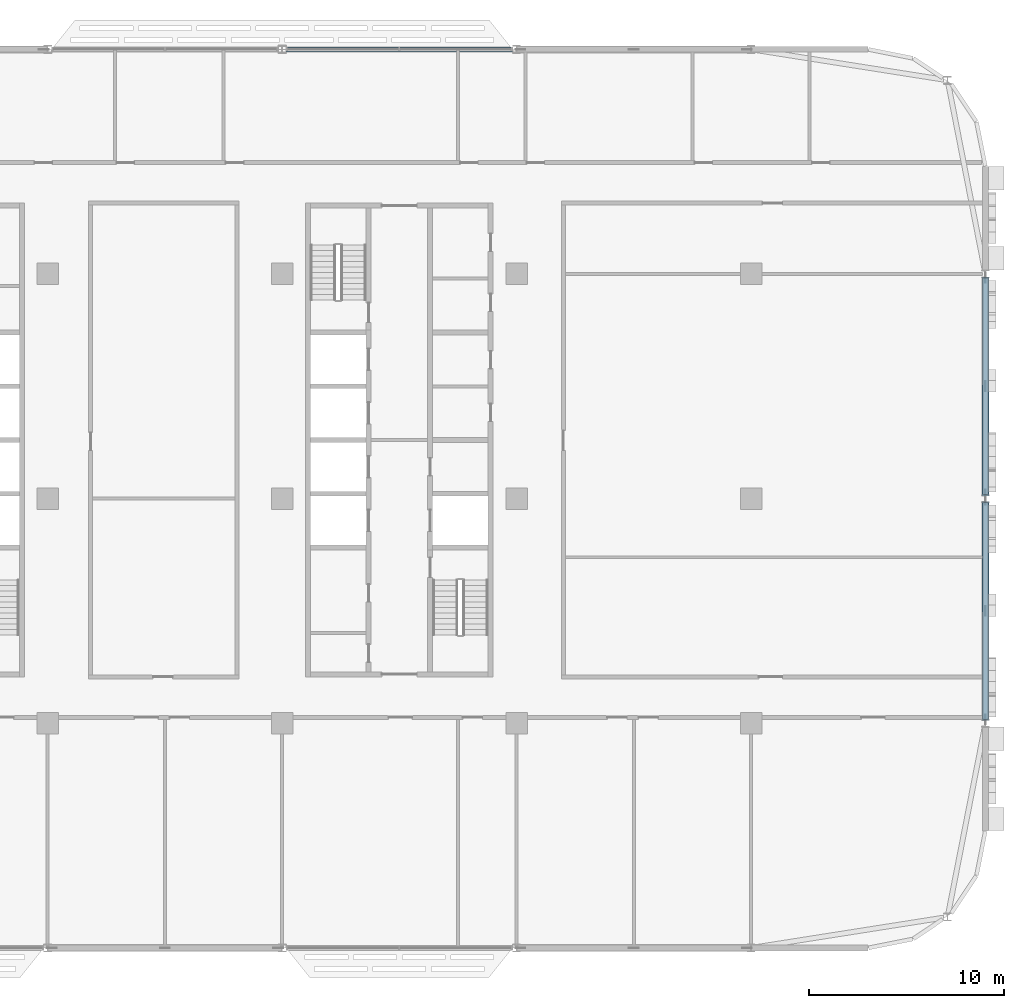
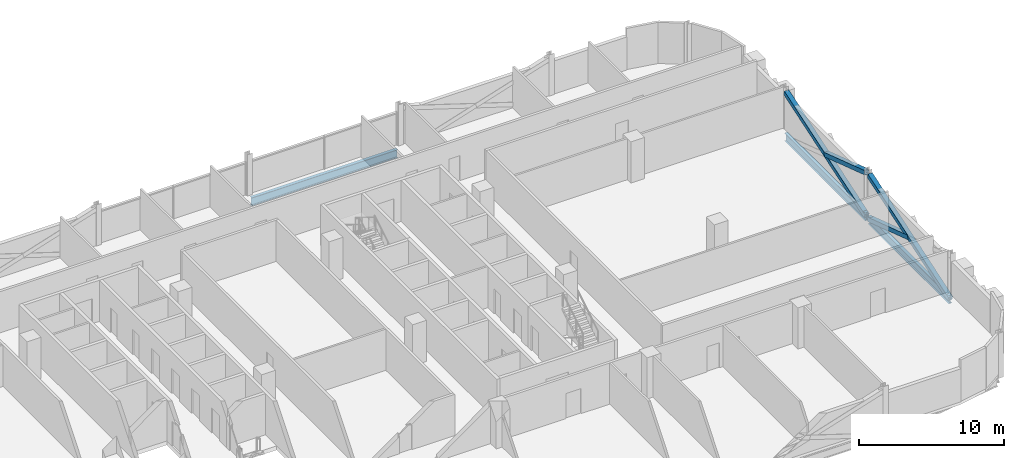
# One storey, part 10 of 30: 4 members, 3 beams.
"""IFC4 building model written with IfcOpenShell, lengths in metres."""

import ifcopenshell
import ifcopenshell.guid

model = None  # the IFC model being written
_history = None  # IfcOwnerHistory: only IFC2X3 demands one
_inside = {}  # id of a spatial element -> (the spatial element, [elements in it])
_under = {}  # id of a project, library or spatial element -> (it, [spatial elements below it])
_declared = {}  # id of a project -> (the project, [libraries it declares])
_typed = {}  # id of a type object -> (the type object, [elements of that type])
_made_of = {}  # id of a material, layer set ... -> (it, [elements and type objects made of it])


def new_model(schema):
    """Start an empty IFC model of exactly this schema.

    Asked for "IFC4X3", IfcOpenShell would pick the latest addendum, in which some entities
    have other attributes; the version numbers below select the first issue.
    IFC2X3 requires an IfcOwnerHistory on every rooted entity: one is made here for all.
    """
    global model, _history
    if schema == "IFC4X3":
        model = ifcopenshell.file(schema_version=(4, 3, 0, 0))
    else:
        model = ifcopenshell.file(schema=schema)
    _inside.clear()
    _under.clear()
    _declared.clear()
    _typed.clear()
    _made_of.clear()
    _history = None
    if model.schema == "IFC2X3":
        org = make("IfcOrganization", Name="unknown")
        user = make(
            "IfcPersonAndOrganization",
            ThePerson=make("IfcPerson", FamilyName="unknown"),
            TheOrganization=org,
        )
        app = make(
            "IfcApplication",
            ApplicationDeveloper=org,
            Version="unknown",
            ApplicationFullName="unknown",
            ApplicationIdentifier="unknown",
        )
        _history = make(
            "IfcOwnerHistory",
            OwningUser=user,
            OwningApplication=app,
            ChangeAction="ADDED",
            CreationDate=0,
        )
    return model


def make(cls, **values):
    """One entity of the class cls with the attributes given. An attribute that is None is left unset."""
    return model.create_entity(
        cls, **{name: value for name, value in values.items() if value is not None}
    )


def rooted(cls, **values):
    """An entity with a GlobalId (a new one), such as an element, a storey or a relation."""
    return make(cls, GlobalId=ifcopenshell.guid.new(), OwnerHistory=_history, **values)


def si_unit(unit_type, name, prefix=None):
    """IfcSIUnit, for example si_unit("LENGTHUNIT", "METRE", prefix="MILLI")."""
    return make("IfcSIUnit", UnitType=unit_type, Prefix=prefix, Name=name)


def assignment(units):
    """IfcUnitAssignment: the units of a project."""
    return None if units is None else make("IfcUnitAssignment", Units=units)


def point(xyz):
    """IfcCartesianPoint."""
    return None if xyz is None else make("IfcCartesianPoint", Coordinates=xyz)


def direction(xyz):
    """IfcDirection."""
    return None if xyz is None else make("IfcDirection", DirectionRatios=xyz)


def frame(location, z_axis=None, x_axis=None):
    """IfcAxis2Placement3D, a coordinate frame: its origin and axes. An axis left out is left unset."""
    return make(
        "IfcAxis2Placement3D",
        Location=point(location),
        Axis=direction(z_axis),
        RefDirection=direction(x_axis),
    )


def frame_2d(location, x_axis=None):
    """IfcAxis2Placement2D, a coordinate frame in the plane: its origin and x axis."""
    return make(
        "IfcAxis2Placement2D", Location=point(location), RefDirection=direction(x_axis)
    )


def origin():
    """The frame at (0, 0, 0) with its axes left unset."""
    return frame((0.0, 0.0, 0.0))


def origin_2d():
    """The frame at (0, 0) in the plane with its x axis left unset."""
    return frame_2d((0.0, 0.0))


def place(relative_to, where):
    """IfcLocalPlacement: puts the frame where relative to a parent placement (None: the world)."""
    return make(
        "IfcLocalPlacement", PlacementRelTo=relative_to, RelativePlacement=where
    )


def context(
    kind, dimensions, precision=None, world=None, true_north=None, identifier=None
):
    """IfcGeometricRepresentationContext, for example the 3D "Model" context."""
    return make(
        "IfcGeometricRepresentationContext",
        ContextIdentifier=identifier,
        ContextType=kind,
        CoordinateSpaceDimension=dimensions,
        Precision=precision,
        WorldCoordinateSystem=world,
        TrueNorth=true_north,
    )


def subcontext(parent, identifier, kind, view, scale=None):
    """IfcGeometricRepresentationSubContext, for example "Body" below "Model"."""
    return make(
        "IfcGeometricRepresentationSubContext",
        ContextIdentifier=identifier,
        ContextType=kind,
        ParentContext=parent,
        TargetScale=scale,
        TargetView=view,
    )


def project(units=None, contexts=None):
    """IfcProject with its units and contexts."""
    return rooted(
        "IfcProject",
        Name="project",
        RepresentationContexts=contexts,
        UnitsInContext=assignment(units),
    )


def spatial(cls, under=None, at=None, **own):
    """A site, building, storey or space (cls), placed at a placement, below another one or the project."""
    s = rooted(cls, ObjectPlacement=at, **own)
    if under is not None:
        _under.setdefault(under.id(), (under, []))[1].append(s)
    return s


def profile(cls, at=None, kind="AREA", **sizes):
    """A parametric profile (cls). Its sizes go by their IFC names, for example OverallWidth=200.0."""
    return make(cls, ProfileType=kind, Position=at, **sizes)


def hollow_rectangle(**sizes):
    """IfcRectangleHollowProfileDef."""
    return profile("IfcRectangleHollowProfileDef", **sizes)


def i_section(**sizes):
    """IfcIShapeProfileDef."""
    return profile("IfcIShapeProfileDef", **sizes)


def extrude(swept, where, along, depth):
    """IfcExtrudedAreaSolid: the profile swept, set in the frame where, extruded along a direction by depth."""
    return make(
        "IfcExtrudedAreaSolid",
        SweptArea=swept,
        Position=where,
        ExtrudedDirection=direction(along),
        Depth=depth,
    )


def shape(context_of_items, identifier, shape_type, items):
    """IfcShapeRepresentation: the items that make up one representation, for example the "Body"."""
    return make(
        "IfcShapeRepresentation",
        ContextOfItems=context_of_items,
        RepresentationIdentifier=identifier,
        RepresentationType=shape_type,
        Items=items,
    )


def material(Name=None, Category=None):
    """IfcMaterial."""
    return make("IfcMaterial", Name=Name, Category=Category)


def material_profile(
    of_material, cross_section, Name=None, Category=None, Priority=None
):
    """IfcMaterialProfile: a cross section and its material."""
    return make(
        "IfcMaterialProfile",
        Name=Name,
        Material=of_material,
        Profile=cross_section,
        Priority=Priority,
        Category=Category,
    )


def profile_set(profiles, Name=None, composite=None):
    """IfcMaterialProfileSet."""
    return make(
        "IfcMaterialProfileSet",
        Name=Name,
        MaterialProfiles=profiles,
        CompositeProfile=composite,
    )


def made_of(thing, what):
    """Note that an element or type object is made of a material, layer set ...; save() writes the relation."""
    if what is not None:
        _made_of.setdefault(what.id(), (what, []))[1].append(thing)
    return thing


def type_object(cls, material=None, **own):
    """A type object (cls), such as IfcWallType, which elements share."""
    return made_of(rooted(cls, **own), material)


def element(
    cls,
    number,
    at=None,
    inside=None,
    cuts=None,
    type_object=None,
    material=None,
    context=None,
    identifier="Body",
    shape_type=None,
    held_by="IfcProductDefinitionShape",
    body=None,
    shapes=None,
    **own,
):
    """One element of the class cls, such as IfcWall. Its Tag is "e" and its number.

    at: its placement. inside: the storey or other place that contains it. cuts: it is an
    opening in that element (IfcRelVoidsElement). A single representation is given by context,
    identifier, shape_type and body (its items); several are given by shapes. held_by: the class
    of the entity that holds the representations. save() writes the other relations.
    """
    e = rooted(cls, Tag="e%d" % number, ObjectPlacement=at, **own)
    if body is not None:
        shapes = [shape(context, identifier, shape_type, body)]
    if shapes is not None:
        e.Representation = make(held_by, Representations=shapes)
    if inside is not None:
        _inside.setdefault(inside.id(), (inside, []))[1].append(e)
    if cuts is not None:
        rooted(
            "IfcRelVoidsElement", RelatingBuildingElement=cuts, RelatedOpeningElement=e
        )
    if type_object is not None:
        _typed.setdefault(type_object.id(), (type_object, []))[1].append(e)
    return made_of(e, material)


def aggregate(whole, parts):
    """IfcRelAggregates: a whole, such as a stair, and the parts it consists of."""
    return rooted("IfcRelAggregates", RelatingObject=whole, RelatedObjects=parts)


def save(model, path):
    """Write the relations noted so far, then the file.

    IfcRelAggregates (storeys below a building ...), IfcRelContainedInSpatialStructure (elements
    in a storey), IfcRelDefinesByType, IfcRelAssociatesMaterial and IfcRelDeclares: one each for
    every whole, place, type object, material and project.
    """
    for whole, parts in _under.values():
        aggregate(whole, parts)
    for where, things in _inside.values():
        rooted(
            "IfcRelContainedInSpatialStructure",
            RelatedElements=things,
            RelatingStructure=where,
        )
    for kind, things in _typed.values():
        rooted("IfcRelDefinesByType", RelatedObjects=things, RelatingType=kind)
    for what, things in _made_of.values():
        rooted("IfcRelAssociatesMaterial", RelatedObjects=things, RelatingMaterial=what)
    for by, libraries in _declared.values():
        rooted("IfcRelDeclares", RelatingContext=by, RelatedDefinitions=libraries)
    model.write(path)


model = new_model("IFC4")

# Units and contexts
model_context = context("Model", 3, precision=1e-05, world=origin(), true_north=direction((0.0, 1.0)))
body_context = subcontext(model_context, "Body", "Model", "MODEL_VIEW")
ifc_project = project(units=[si_unit("LENGTHUNIT", "METRE"), si_unit("AREAUNIT", "SQUARE_METRE"), si_unit("VOLUMEUNIT", "CUBIC_METRE"), si_unit("PLANEANGLEUNIT", "RADIAN"), si_unit("MASSUNIT", "GRAM", prefix="KILO")], contexts=[model_context])

# Site, building, storey
site_placement = place(None, origin())
site = spatial("IfcSite", under=ifc_project, at=site_placement, CompositionType="ELEMENT")
building_placement = place(site_placement, origin())
building = spatial("IfcBuilding", under=site, at=building_placement, Name="Mahtab Terrace Research Tower", CompositionType="ELEMENT")
storey_placement = place(building_placement, frame((0.0, 0.0, 205.300048828125)))
storey = spatial("IfcBuildingStorey", under=building, at=storey_placement, Name="L49", CompositionType="ELEMENT", Elevation=205.300048828125)

# Members
ifc_material_1 = material(Name="Steel ASTM A500 Gr C", Category="steel")
ifc_material_profile_1 = material_profile(ifc_material_1, hollow_rectangle(XDim=0.355712890625, YDim=0.355712890625, WallThickness=0.015869140625, at=origin_2d()), Name="HSS14X14X5/8")
ifc_profile_set_1 = profile_set([ifc_material_profile_1], Name="Steel ASTM A500 Gr C")
member_type = type_object("IfcMemberType", Name="HSS 14x14x5/8 brace XB141458", PredefinedType="BRACE", material=ifc_profile_set_1)
member_1_placement = place(storey_placement, frame((54.0, -11.300537109375, -0.61328125), z_axis=(0.0, 0.949504910136, 0.313752172307), x_axis=(-1.0, 0.0, 0.0)))
element("IfcMember", 1, at=member_1_placement, inside=storey, type_object=member_type, Name="Exoskeleton brace L49 22 a", PredefinedType="BRACE", context=body_context, shape_type="SweptSolid", body=[
    extrude(hollow_rectangle(XDim=0.355712890625, YDim=0.355712890625, WallThickness=0.015869140625, at=origin_2d()), origin(), (0.0, 0.0, 1.0), 11.69140625),
])
member_2_placement = place(storey_placement, frame((54.0, -0.199462890625, -0.61328125), z_axis=(0.0, -0.949498689047, 0.313770998496), x_axis=(1.0, 0.0, 0.0)))
element("IfcMember", 2, at=member_2_placement, inside=storey, type_object=member_type, Name="Exoskeleton brace L49 22 b1", PredefinedType="BRACE", context=body_context, shape_type="SweptSolid", body=[
    extrude(hollow_rectangle(XDim=0.355712890625, YDim=0.355712890625, WallThickness=0.015869140625, at=origin_2d()), origin(), (0.0, 0.0, 1.0), 5.845703125),
])
member_3_placement = place(storey_placement, frame((54.0, 0.199462890625, -0.61328125), z_axis=(0.0, 0.949504910136, 0.313752172307), x_axis=(-1.0, 0.0, 0.0)))
element("IfcMember", 3, at=member_3_placement, inside=storey, type_object=member_type, Name="Exoskeleton brace L49 23 a", PredefinedType="BRACE", context=body_context, shape_type="SweptSolid", body=[
    extrude(hollow_rectangle(XDim=0.355712890625, YDim=0.355712890625, WallThickness=0.015869140625, at=origin_2d()), origin(), (0.0, 0.0, 1.0), 11.69140625),
])
member_4_placement = place(storey_placement, frame((54.0, 5.75, 1.220947265625), z_axis=(0.0, -0.949511130933, 0.313733345748), x_axis=(1.0, 0.0, 0.0)))
element("IfcMember", 4, at=member_4_placement, inside=storey, type_object=member_type, Name="Exoskeleton brace L49 23 b2", PredefinedType="BRACE", context=body_context, shape_type="SweptSolid", body=[
    extrude(hollow_rectangle(XDim=0.355712890625, YDim=0.355712890625, WallThickness=0.015869140625, at=origin_2d()), origin(), (0.0, 0.0, 1.0), 5.845703125),
])

# Beams
ifc_material_2 = material(Name="Steel ASTM A992 Gr 50", Category="steel")
ifc_material_profile_2 = material_profile(ifc_material_2, i_section(OverallWidth=0.25390625, OverallDepth=0.67822265625, WebThickness=0.01171875, FlangeThickness=0.016357421875, at=origin_2d()), Name="W27X84")
ifc_profile_set_2 = profile_set([ifc_material_profile_2], Name="Steel ASTM A992 Gr 50")
beam_type = type_object("IfcBeamType", Name="W27x84 beam BS2784", PredefinedType="BEAM", material=ifc_profile_set_2)
beam_placement = place(storey_placement, frame((29.79931640625, 23.0, -0.67919921875), z_axis=(-1.0, 0.0, 0.0), x_axis=(0.0, -1.0, 0.0)))
element("IfcBeam", 5, at=beam_placement, inside=storey, type_object=beam_type, Name="Spandrel beam L49 03", PredefinedType="BEAM", context=body_context, shape_type="SweptSolid", body=[
    extrude(i_section(OverallWidth=0.25390625, OverallDepth=0.67822265625, WebThickness=0.01171875, FlangeThickness=0.016357421875, at=origin_2d()), origin(), (0.0, 0.0, 1.0), 11.5986328125),
])
for number, where, z_axis, x_axis, name in (
    (6, (54.0, -11.300537109375, -0.67919921875), (0.0, 1.0, 0.0), (-1.0, 0.0, 0.0), "Spandrel beam L49 22"),
    (7, (54.0, 0.199462890625, -0.67919921875), (0.0, 1.0, 0.0), (-1.0, 0.0, 0.0), "Spandrel beam L49 23"),
):
    element("IfcBeam", number, at=place(storey_placement, frame(where, z_axis=z_axis, x_axis=x_axis)), inside=storey, type_object=beam_type, Name=name, PredefinedType="BEAM", context=body_context, shape_type="SweptSolid", body=[
        extrude(i_section(OverallWidth=0.25390625, OverallDepth=0.67822265625, WebThickness=0.01171875, FlangeThickness=0.016357421875, at=origin_2d()), origin(), (0.0, 0.0, 1.0), 11.10107421875),
    ])

save(model, "model.ifc")
